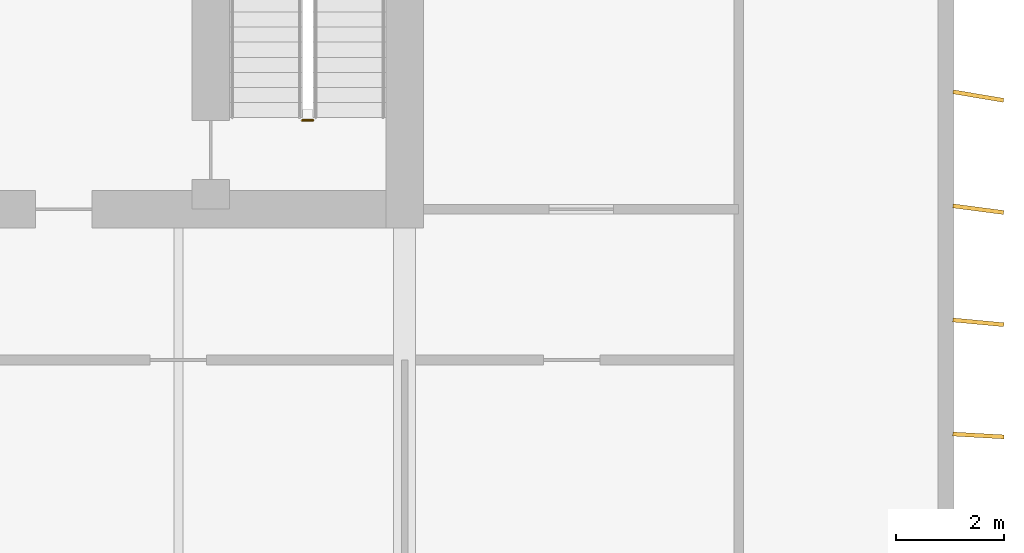
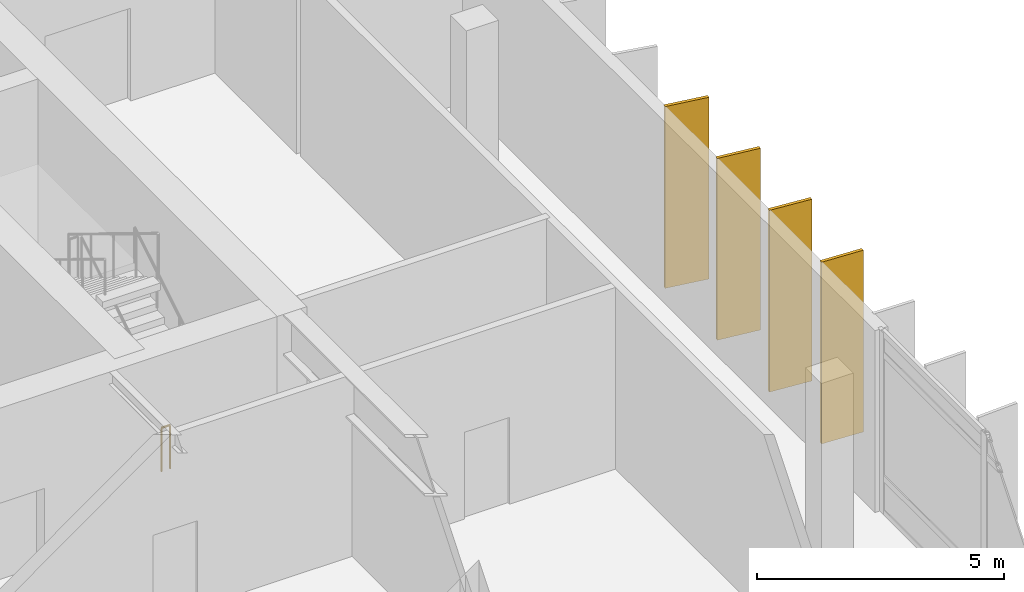
# One storey, part 12 of 14: 4 shading devices, 1 railing.
"""IFC4 building model written with IfcOpenShell, lengths in metres."""

from ifc_helpers import new_model, si_unit, direction, frame, origin, origin_2d, place, context, subcontext, project, spatial, rectangle, circle, extrude, material, material_profile, profile_set, type_object, element, save


model = new_model("IFC4")

# Units and contexts
model_context = context("Model", 3, precision=1e-05, world=origin(), true_north=direction((0.0, 1.0)))
body_context = subcontext(model_context, "Body", "Model", "MODEL_VIEW")
ifc_project = project(units=[si_unit("LENGTHUNIT", "METRE"), si_unit("AREAUNIT", "SQUARE_METRE"), si_unit("VOLUMEUNIT", "CUBIC_METRE"), si_unit("PLANEANGLEUNIT", "RADIAN"), si_unit("MASSUNIT", "GRAM", prefix="KILO")], contexts=[model_context])

# Site, building, storey
site_placement = place(None, origin())
site = spatial("IfcSite", under=ifc_project, at=site_placement, CompositionType="ELEMENT")
building_placement = place(site_placement, origin())
building = spatial("IfcBuilding", under=site, at=building_placement, Name="Caelmar Bay Residences", CompositionType="ELEMENT")
storey_placement = place(building_placement, frame((0.0, 0.0, 269.39990234375)))
storey = spatial("IfcBuildingStorey", under=building, at=storey_placement, Name="L76", CompositionType="ELEMENT", Elevation=269.39990234375)

# Railing
ifc_material_1 = material(Name="Painted galvanized steel stair guard 1100 mm", Category="steel")
railing_type = type_object("IfcRailingType", Name="RL-GRD-1100", PredefinedType="GUARDRAIL", material=ifc_material_1)
railing_placement = place(storey_placement, frame((57.800048828125, 38.64990234375, 0.0)))
element("IfcRailing", 1, at=railing_placement, inside=storey, type_object=railing_type, Name="L76 ST2 stair guard 4", PredefinedType="GUARDRAIL", context=body_context, shape_type="SweptSolid", body=[
    extrude(circle(Radius=0.02392578125, at=origin_2d()), frame((0.0, 0.0, 1.076171875), z_axis=(-1.0, 0.0, 0.0), x_axis=(0.0, -1.0, 0.0)), (0.0, 0.0, 1.0), 0.199951171875),
    extrude(circle(Radius=0.02099609375, at=origin_2d()), origin(), (0.0, 0.0, 1.0), 1.052001953125),
    extrude(circle(Radius=0.02099609375, at=origin_2d()), frame((-0.199951171875, 0.0, 0.0)), (0.0, 0.0, 1.0), 1.052001953125),
])

# Shading devices
ifc_material_2 = material(Name="Anodised architectural bronze aluminium 6063-T6", Category="aluminium")
ifc_material_profile = material_profile(ifc_material_2, rectangle(XDim=0.074951171875, YDim=0.949951171875, at=origin_2d()), Name="BRONZE-FIN-75X950")
ifc_profile_set = profile_set([ifc_material_profile], Name="Anodised architectural bronze aluminium 6063-T6")
shading_device_type = type_object("IfcShadingDeviceType", Name="SHD-FIN-950", PredefinedType="USERDEFINED", material=ifc_profile_set)
for number, where, z_axis, x_axis, name in (
    (2, (70.14990234375, 32.800048828125, 0.0), (0.0, 0.0, 1.0), (0.055821504993, 0.998440764182, 0.0), "L76 East Bronze Solar Fin 10"),
    (3, (70.14990234375, 34.89990234375, 0.0), (0.0, 0.0, 1.0), (0.092891934994, 0.995676196569, 0.0), "L76 East Bronze Solar Fin 11"),
    (4, (70.14990234375, 37.0, 0.0), (0.0, 0.0, 1.0), (0.130007055036, 0.99151306882, 0.0), "L76 East Bronze Solar Fin 12"),
    (5, (70.14990234375, 39.10009765625, 0.0), (0.0, 0.0, 1.0), (0.166768746716, 0.985996037071, 0.0), "L76 East Bronze Solar Fin 13"),
):
    element("IfcShadingDevice", number, at=place(storey_placement, frame(where, z_axis=z_axis, x_axis=x_axis)), inside=storey, type_object=shading_device_type, Name=name, ObjectType="FIN", PredefinedType="USERDEFINED", context=body_context, shape_type="SweptSolid", body=[
        extrude(rectangle(XDim=0.074951171875, YDim=0.949951171875, at=origin_2d()), origin(), (0.0, 0.0, 1.0), 4.5),
    ])

save(model, "model.ifc")
